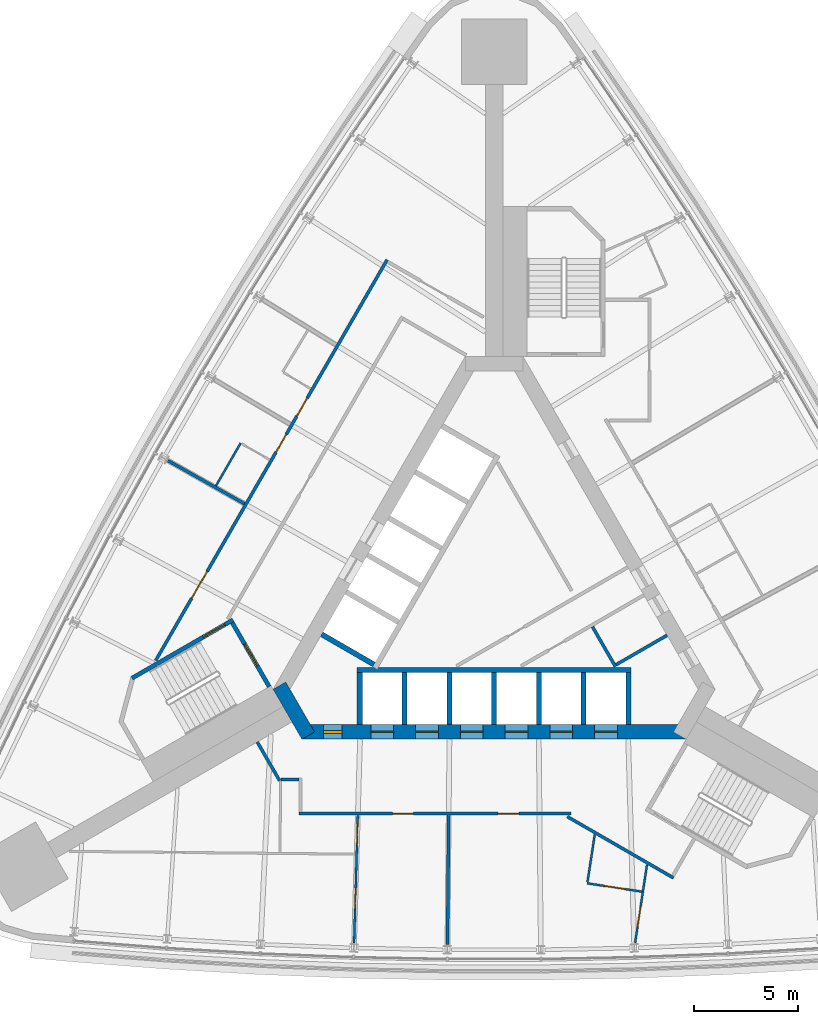
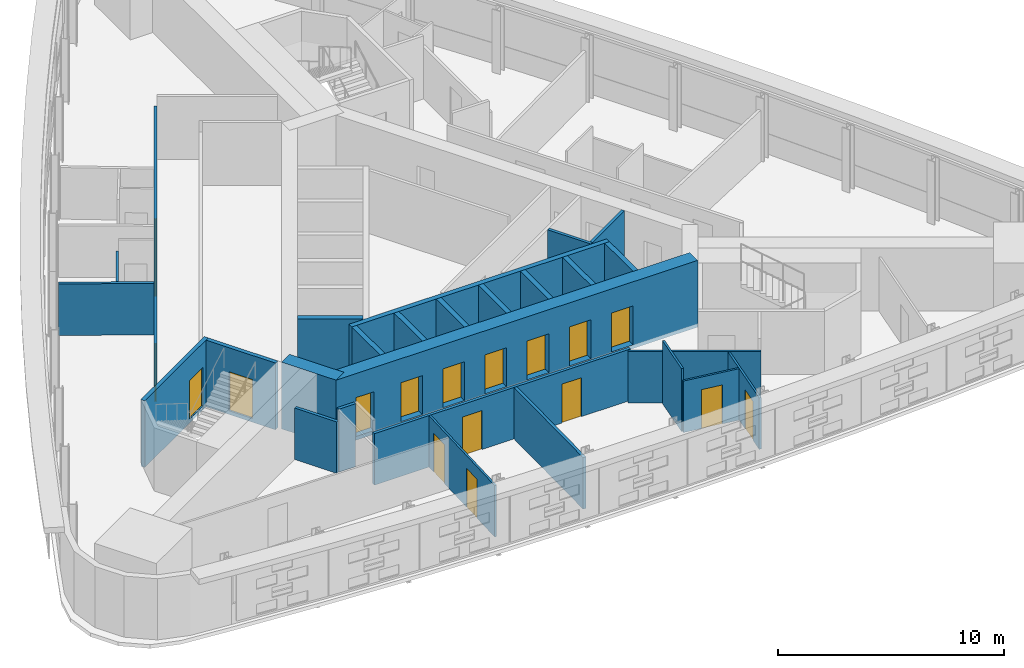
# One storey, part 8 of 13: 27 walls, 18 doors, 18 openings.
"""IFC4 building model written with IfcOpenShell, lengths in metres."""

from ifc_helpers import new_model, si_unit, direction, frame, frame_2d, origin, place, context, subcontext, project, spatial, rectangle, extrude, material, layer, layer_set, type_object, element, fill, save


model = new_model("IFC4")

# Units and contexts
model_context = context("Model", 3, precision=1e-05, world=origin(), true_north=direction((0.0, 1.0)))
body_context = subcontext(model_context, "Body", "Model", "MODEL_VIEW")
ifc_project = project(units=[si_unit("LENGTHUNIT", "METRE"), si_unit("AREAUNIT", "SQUARE_METRE"), si_unit("VOLUMEUNIT", "CUBIC_METRE"), si_unit("PLANEANGLEUNIT", "RADIAN"), si_unit("MASSUNIT", "GRAM", prefix="KILO")], contexts=[model_context])

# Site, building, storey
site_placement = place(None, origin())
site = spatial("IfcSite", under=ifc_project, at=site_placement, CompositionType="ELEMENT")
building_placement = place(site_placement, origin())
building = spatial("IfcBuilding", under=site, at=building_placement, Name="Noor Cloister Tower", CompositionType="ELEMENT")
storey_placement = place(building_placement, frame((0.0, 0.0, 79.800048828125)))
storey = spatial("IfcBuildingStorey", under=building, at=storey_placement, Name="L20", CompositionType="ELEMENT", Elevation=79.800048828125)

# Walls
ifc_material_1 = material(Name="Concrete C30/37", Category="concrete")
ifc_layer_1 = layer(ifc_material_1, 0.14990234375)
ifc_layer_set_1 = layer_set([ifc_layer_1], Name="Core partition 150 C30/37")
wall_type_1 = type_object("IfcWallType", Name="Core partition 150 C30/37", PredefinedType="PARTITIONING", material=ifc_layer_set_1)
wall_1_placement = place(storey_placement, frame((5.82861328125, -3.439208984375, 0.0), z_axis=(0.0, 0.0, 1.0), x_axis=(-0.49995790319, 0.866049707025, 0.0)))
element("IfcWall", 1, at=wall_1_placement, inside=storey, type_object=wall_type_1, Name="Core room partition L20 4", PredefinedType="PARTITIONING", context=body_context, shape_type="SweptSolid", body=[
    extrude(rectangle(XDim=2.214111328125, YDim=0.14990234375, at=frame_2d((1.10693359375, 0.0))), origin(), (0.0, 0.0, 1.0), 3.39990234375),
])
wall_2_placement = place(storey_placement, frame((5.861572265625, -3.34619140625, 0.0), z_axis=(0.0, 0.0, 1.0), x_axis=(0.866011447264, 0.500024172624, 0.0)))
element("IfcWall", 2, at=wall_2_placement, inside=storey, type_object=wall_type_1, Name="Core room partition L20 5", PredefinedType="PARTITIONING", context=body_context, shape_type="SweptSolid", body=[
    extrude(rectangle(XDim=2.824951171875, YDim=0.14990234375, at=frame_2d((1.41259765625, 0.0))), origin(), (0.0, 0.0, 1.0), 3.39990234375),
])

# Wall, openings, doors
ifc_material_2 = material(Name="Concrete C80/95", Category="concrete")
ifc_layer_2 = layer(ifc_material_2, 0.699951171875)
ifc_layer_set_2 = layer_set([ifc_layer_2], Name="Core wall 700 C80/95")
wall_type_2 = type_object("IfcWallType", Name="Core wall 700 C80/95", PredefinedType="SHEAR", material=ifc_layer_set_2)
wall_3_placement = place(storey_placement, frame((-9.228759765625, -6.578125, -0.199951171875), z_axis=(0.0, 0.0, 1.0), x_axis=(1.0, 0.0, 0.0)))
wall_3 = element("IfcWall", 3, at=wall_3_placement, inside=storey, type_object=wall_type_2, Name="Core wall L20 1", PredefinedType="SHEAR", context=body_context, shape_type="SweptSolid", body=[
    extrude(rectangle(XDim=18.45751953125, YDim=0.699951171875, at=frame_2d((9.228759765625, 0.0))), origin(), (0.0, 0.0, 1.0), 3.599853515625),
])
opening_1_placement = place(wall_3_placement, frame((3.3037109375, 0.0, 0.199951171875)))
opening_1 = element("IfcOpeningElement", 4, at=opening_1_placement, cuts=wall_3, Name="Opening L20-LR1", PredefinedType="OPENING", context=body_context, shape_type="SweptSolid", body=[
    extrude(rectangle(XDim=1.10009765625, YDim=2.10009765625, at=frame_2d((0.550048828125, 1.050048828125))), frame((0.0, 0.35986328125, 0.0), z_axis=(0.0, -1.0, 0.0), x_axis=(1.0, 0.0, 0.0)), (0.0, 0.0, 1.0), 0.719970703125),
])
opening_2_placement = place(wall_3_placement, frame((5.45361328125, 0.0, 0.199951171875)))
opening_2 = element("IfcOpeningElement", 5, at=opening_2_placement, cuts=wall_3, Name="Opening L20-LR2", PredefinedType="OPENING", context=body_context, shape_type="SweptSolid", body=[
    extrude(rectangle(XDim=1.10009765625, YDim=2.10009765625, at=frame_2d((0.550048828125, 1.050048828125))), frame((0.0, 0.35986328125, 0.0), z_axis=(0.0, -1.0, 0.0), x_axis=(1.0, 0.0, 0.0)), (0.0, 0.0, 1.0), 0.719970703125),
])
opening_3_placement = place(wall_3_placement, frame((7.603759765625, 0.0, 0.199951171875)))
opening_3 = element("IfcOpeningElement", 6, at=opening_3_placement, cuts=wall_3, Name="Opening L20-LR3", PredefinedType="OPENING", context=body_context, shape_type="SweptSolid", body=[
    extrude(rectangle(XDim=1.10009765625, YDim=2.10009765625, at=frame_2d((0.550048828125, 1.050048828125))), frame((0.0, 0.35986328125, 0.0), z_axis=(0.0, -1.0, 0.0), x_axis=(1.0, 0.0, 0.0)), (0.0, 0.0, 1.0), 0.719970703125),
])
opening_4_placement = place(wall_3_placement, frame((9.753662109375, 0.0, 0.199951171875)))
opening_4 = element("IfcOpeningElement", 7, at=opening_4_placement, cuts=wall_3, Name="Opening L20-LR4", PredefinedType="OPENING", context=body_context, shape_type="SweptSolid", body=[
    extrude(rectangle(XDim=1.10009765625, YDim=2.10009765625, at=frame_2d((0.550048828125, 1.050048828125))), frame((0.0, 0.35986328125, 0.0), z_axis=(0.0, -1.0, 0.0), x_axis=(1.0, 0.0, 0.0)), (0.0, 0.0, 1.0), 0.719970703125),
])
opening_5_placement = place(wall_3_placement, frame((11.90380859375, 0.0, 0.199951171875)))
opening_5 = element("IfcOpeningElement", 8, at=opening_5_placement, cuts=wall_3, Name="Opening L20-LR5", PredefinedType="OPENING", context=body_context, shape_type="SweptSolid", body=[
    extrude(rectangle(XDim=1.10009765625, YDim=2.10009765625, at=frame_2d((0.550048828125, 1.050048828125))), frame((0.0, 0.35986328125, 0.0), z_axis=(0.0, -1.0, 0.0), x_axis=(1.0, 0.0, 0.0)), (0.0, 0.0, 1.0), 0.719970703125),
])
opening_6_placement = place(wall_3_placement, frame((14.0537109375, 0.0, 0.199951171875)))
opening_6 = element("IfcOpeningElement", 9, at=opening_6_placement, cuts=wall_3, Name="Opening L20-LR6", PredefinedType="OPENING", context=body_context, shape_type="SweptSolid", body=[
    extrude(rectangle(XDim=1.10009765625, YDim=2.10009765625, at=frame_2d((0.550048828125, 1.050048828125))), frame((0.0, 0.35986328125, 0.0), z_axis=(0.0, -1.0, 0.0), x_axis=(1.0, 0.0, 0.0)), (0.0, 0.0, 1.0), 0.719970703125),
])
opening_7_placement = place(wall_3_placement, frame((1.0263671875, 0.0, 0.199951171875)))
opening_7 = element("IfcOpeningElement", 10, at=opening_7_placement, cuts=wall_3, Name="Opening L20-907", PredefinedType="OPENING", context=body_context, shape_type="SweptSolid", body=[
    extrude(rectangle(XDim=0.89990234375, YDim=2.10009765625, at=frame_2d((0.449951171875, 1.050048828125))), frame((0.0, 0.35986328125, 0.0), z_axis=(0.0, -1.0, 0.0), x_axis=(1.0, 0.0, 0.0)), (0.0, 0.0, 1.0), 0.719970703125),
])
ifc_material_3 = material(Name="Steel", Category="steel")
door_type_1 = type_object("IfcDoorType", Name="Core door 900 x 2100 FD60", OperationType="SINGLE_SWING_LEFT", PredefinedType="DOOR", material=ifc_material_3)
door_1_placement = place(opening_7_placement, origin())
door_1 = element("IfcDoor", 11, at=door_1_placement, inside=storey, type_object=door_type_1, Name="Core door 7 L20", OperationType="SINGLE_SWING_LEFT", OverallHeight=2.10009765625, OverallWidth=0.89990234375, PredefinedType="DOOR", context=body_context, shape_type="SweptSolid", body=[
    extrude(rectangle(XDim=0.89990234375, YDim=2.10009765625, at=frame_2d((0.449951171875, 1.050048828125))), frame((0.0, 0.074951171875, 0.0), z_axis=(0.0, -1.0, 0.0), x_axis=(1.0, 0.0, 0.0)), (0.0, 0.0, 1.0), 0.14990234375),
])
fill(opening_7, door_1)
ifc_material_4 = material(Name="Stainless steel", Category="steel")
door_type_2 = type_object("IfcDoorType", Name="Lift landing door 1100 x 2100", OperationType="DOUBLE_DOOR_SLIDING", PredefinedType="DOOR", material=ifc_material_4)
door_2_placement = place(opening_1_placement, origin())
door_2 = element("IfcDoor", 12, at=door_2_placement, inside=storey, type_object=door_type_2, Name="Landing door LR1 L20", OperationType="DOUBLE_DOOR_SLIDING", OverallHeight=2.10009765625, OverallWidth=1.10009765625, PredefinedType="DOOR", context=body_context, shape_type="SweptSolid", body=[
    extrude(rectangle(XDim=1.10009765625, YDim=2.10009765625, at=frame_2d((0.550048828125, 1.050048828125))), frame((0.0, 0.02490234375, 0.0), z_axis=(0.0, -1.0, 0.0), x_axis=(1.0, 0.0, 0.0)), (0.0, 0.0, 1.0), 0.050048828125),
])
fill(opening_1, door_2)
door_3_placement = place(opening_2_placement, origin())
door_3 = element("IfcDoor", 13, at=door_3_placement, inside=storey, type_object=door_type_2, Name="Landing door LR2 L20", OperationType="DOUBLE_DOOR_SLIDING", OverallHeight=2.10009765625, OverallWidth=1.10009765625, PredefinedType="DOOR", context=body_context, shape_type="SweptSolid", body=[
    extrude(rectangle(XDim=1.10009765625, YDim=2.10009765625, at=frame_2d((0.550048828125, 1.050048828125))), frame((0.0, 0.02490234375, 0.0), z_axis=(0.0, -1.0, 0.0), x_axis=(1.0, 0.0, 0.0)), (0.0, 0.0, 1.0), 0.050048828125),
])
fill(opening_2, door_3)
door_4_placement = place(opening_3_placement, origin())
door_4 = element("IfcDoor", 14, at=door_4_placement, inside=storey, type_object=door_type_2, Name="Landing door LR3 L20", OperationType="DOUBLE_DOOR_SLIDING", OverallHeight=2.10009765625, OverallWidth=1.10009765625, PredefinedType="DOOR", context=body_context, shape_type="SweptSolid", body=[
    extrude(rectangle(XDim=1.10009765625, YDim=2.10009765625, at=frame_2d((0.550048828125, 1.050048828125))), frame((0.0, 0.02490234375, 0.0), z_axis=(0.0, -1.0, 0.0), x_axis=(1.0, 0.0, 0.0)), (0.0, 0.0, 1.0), 0.050048828125),
])
fill(opening_3, door_4)
door_5_placement = place(opening_4_placement, origin())
door_5 = element("IfcDoor", 15, at=door_5_placement, inside=storey, type_object=door_type_2, Name="Landing door LR4 L20", OperationType="DOUBLE_DOOR_SLIDING", OverallHeight=2.10009765625, OverallWidth=1.10009765625, PredefinedType="DOOR", context=body_context, shape_type="SweptSolid", body=[
    extrude(rectangle(XDim=1.10009765625, YDim=2.10009765625, at=frame_2d((0.550048828125, 1.050048828125))), frame((0.0, 0.02490234375, 0.0), z_axis=(0.0, -1.0, 0.0), x_axis=(1.0, 0.0, 0.0)), (0.0, 0.0, 1.0), 0.050048828125),
])
fill(opening_4, door_5)
door_6_placement = place(opening_5_placement, origin())
door_6 = element("IfcDoor", 16, at=door_6_placement, inside=storey, type_object=door_type_2, Name="Landing door LR5 L20", OperationType="DOUBLE_DOOR_SLIDING", OverallHeight=2.10009765625, OverallWidth=1.10009765625, PredefinedType="DOOR", context=body_context, shape_type="SweptSolid", body=[
    extrude(rectangle(XDim=1.10009765625, YDim=2.10009765625, at=frame_2d((0.550048828125, 1.050048828125))), frame((0.0, 0.02490234375, 0.0), z_axis=(0.0, -1.0, 0.0), x_axis=(1.0, 0.0, 0.0)), (0.0, 0.0, 1.0), 0.050048828125),
])
fill(opening_5, door_6)
door_7_placement = place(opening_6_placement, origin())
door_7 = element("IfcDoor", 17, at=door_7_placement, inside=storey, type_object=door_type_2, Name="Landing door LR6 L20", OperationType="DOUBLE_DOOR_SLIDING", OverallHeight=2.10009765625, OverallWidth=1.10009765625, PredefinedType="DOOR", context=body_context, shape_type="SweptSolid", body=[
    extrude(rectangle(XDim=1.10009765625, YDim=2.10009765625, at=frame_2d((0.550048828125, 1.050048828125))), frame((0.0, 0.02490234375, 0.0), z_axis=(0.0, -1.0, 0.0), x_axis=(1.0, 0.0, 0.0)), (0.0, 0.0, 1.0), 0.050048828125),
])
fill(opening_6, door_7)

# Wall
wall_4_placement = place(storey_placement, frame((-10.311279296875, -4.353271484375, -0.199951171875), z_axis=(0.0, 0.0, 1.0), x_axis=(0.500042739161, -0.866000726912, 0.0)))
element("IfcWall", 18, at=wall_4_placement, inside=storey, type_object=wall_type_2, Name="Core wall L20 6", PredefinedType="SHEAR", context=body_context, shape_type="SweptSolid", body=[
    extrude(rectangle(XDim=2.771240234375, YDim=0.699951171875, at=frame_2d((1.3857421875, 0.0))), origin(), (0.0, 0.0, 1.0), 3.599853515625),
])

# Wall, openings, doors
ifc_material_5 = material(Name="Gypsum board partition on steel studs, 150 mm", Category="steel")
ifc_layer_3 = layer(ifc_material_5, 0.14990234375)
ifc_layer_set_3 = layer_set([ifc_layer_3], Name="Flat wall 150")
wall_type_3 = type_object("IfcWallType", Name="Flat wall 150", PredefinedType="PARTITIONING", material=ifc_layer_set_3)
wall_5_placement = place(storey_placement, frame((-16.255615234375, -3.149169921875, 0.0), z_axis=(0.0, 0.0, 1.0), x_axis=(0.499999683919, 0.866025586274, 0.0)))
wall_5 = element("IfcWall", 19, at=wall_5_placement, inside=storey, type_object=wall_type_3, Name="Flat wall 150 L20 001", PredefinedType="PARTITIONING", context=body_context, shape_type="SweptSolid", body=[
    extrude(rectangle(XDim=22.23388671875, YDim=0.14990234375, at=frame_2d((11.116943359375, 0.0))), origin(), (0.0, 0.0, 1.0), 2.77783203125),
])
opening_8_placement = place(wall_5_placement, frame((13.552978515625, 0.0, 0.0)))
opening_8 = element("IfcOpeningElement", 20, at=opening_8_placement, cuts=wall_5, Name="Opening L20-001", PredefinedType="OPENING", context=body_context, shape_type="SweptSolid", body=[
    extrude(rectangle(XDim=1.0, YDim=2.10009765625, at=frame_2d((0.5, 1.050048828125))), frame((0.0, 0.0849609375, 0.0), z_axis=(0.0, -1.0, 0.0), x_axis=(1.0, 0.0, 0.0)), (0.0, 0.0, 1.0), 0.169921875),
])
opening_9_placement = place(wall_5_placement, frame((11.5595703125, 0.0, 0.0)))
opening_9 = element("IfcOpeningElement", 21, at=opening_9_placement, cuts=wall_5, Name="Opening L20-002", PredefinedType="OPENING", context=body_context, shape_type="SweptSolid", body=[
    extrude(rectangle(XDim=1.0, YDim=2.10009765625, at=frame_2d((0.5, 1.050048828125))), frame((0.0, 0.0849609375, 0.0), z_axis=(0.0, -1.0, 0.0), x_axis=(1.0, 0.0, 0.0)), (0.0, 0.0, 1.0), 0.169921875),
])
opening_10_placement = place(wall_5_placement, frame((3.4462890625, 0.0, 0.0)))
opening_10 = element("IfcOpeningElement", 22, at=opening_10_placement, cuts=wall_5, Name="Opening L20-003", PredefinedType="OPENING", context=body_context, shape_type="SweptSolid", body=[
    extrude(rectangle(XDim=1.5, YDim=2.10009765625, at=frame_2d((0.75, 1.050048828125))), frame((0.0, 0.0849609375, 0.0), z_axis=(0.0, -1.0, 0.0), x_axis=(1.0, 0.0, 0.0)), (0.0, 0.0, 1.0), 0.169921875),
])
ifc_material_6 = material(Name="Timber door leaf with steel frame", Category="steel")
door_type_3 = type_object("IfcDoorType", Name="Assisted living door 1000", OperationType="NOTDEFINED", PredefinedType="DOOR", material=ifc_material_6)
door_8_placement = place(opening_8_placement, origin())
door_8 = element("IfcDoor", 23, at=door_8_placement, inside=storey, type_object=door_type_3, Name="Assisted living door 1000 L20-001", OperationType="SINGLE_SWING_RIGHT", OverallHeight=2.10009765625, OverallWidth=1.0, PredefinedType="DOOR", context=body_context, shape_type="SweptSolid", body=[
    extrude(rectangle(XDim=1.0, YDim=2.10009765625, at=frame_2d((0.5, 1.050048828125))), frame((0.0, 0.02490234375, 0.0), z_axis=(0.0, -1.0, 0.0), x_axis=(1.0, 0.0, 0.0)), (0.0, 0.0, 1.0), 0.050048828125),
])
fill(opening_8, door_8)
door_9_placement = place(opening_9_placement, origin())
door_9 = element("IfcDoor", 24, at=door_9_placement, inside=storey, type_object=door_type_3, Name="Assisted living door 1000 L20-002", OperationType="SINGLE_SWING_RIGHT", OverallHeight=2.10009765625, OverallWidth=1.0, PredefinedType="DOOR", context=body_context, shape_type="SweptSolid", body=[
    extrude(rectangle(XDim=1.0, YDim=2.10009765625, at=frame_2d((0.5, 1.050048828125))), frame((0.0, 0.02490234375, 0.0), z_axis=(0.0, -1.0, 0.0), x_axis=(1.0, 0.0, 0.0)), (0.0, 0.0, 1.0), 0.050048828125),
])
fill(opening_9, door_9)
ifc_material_7 = material(Name="Timber door leaf with steel frame", Category="steel")
door_type_4 = type_object("IfcDoorType", Name="Double door 1500 FD60", OperationType="NOTDEFINED", PredefinedType="DOOR", material=ifc_material_7)
door_10_placement = place(opening_10_placement, origin())
door_10 = element("IfcDoor", 25, at=door_10_placement, inside=storey, type_object=door_type_4, Name="Double door 1500 L20-003", OperationType="DOUBLE_DOOR_SINGLE_SWING", OverallHeight=2.10009765625, OverallWidth=1.5, PredefinedType="DOOR", context=body_context, shape_type="SweptSolid", body=[
    extrude(rectangle(XDim=1.5, YDim=2.10009765625, at=frame_2d((0.75, 1.050048828125))), frame((0.0, 0.02490234375, 0.0), z_axis=(0.0, -1.0, 0.0), x_axis=(1.0, 0.0, 0.0)), (0.0, 0.0, 1.0), 0.050048828125),
])
fill(opening_10, door_10)

wall_6_placement = place(storey_placement, frame((3.68896484375, -10.503173828125, 0.0), z_axis=(0.0, 0.0, 1.0), x_axis=(-1.0, 0.0, 0.0)))
wall_6 = element("IfcWall", 26, at=wall_6_placement, inside=storey, type_object=wall_type_3, Name="Flat wall 150 L20 004", PredefinedType="PARTITIONING", context=body_context, shape_type="SweptSolid", body=[
    extrude(rectangle(XDim=13.067626953125, YDim=0.14990234375, at=frame_2d((6.53369140625, 0.0))), origin(), (0.0, 0.0, 1.0), 2.77783203125),
])
opening_11_placement = place(wall_6_placement, frame((7.565673828125, 0.0, 0.0)))
opening_11 = element("IfcOpeningElement", 27, at=opening_11_placement, cuts=wall_6, Name="Opening L20-009", PredefinedType="OPENING", context=body_context, shape_type="SweptSolid", body=[
    extrude(rectangle(XDim=1.0, YDim=2.10009765625, at=frame_2d((0.5, 1.050048828125))), frame((0.0, 0.0849609375, 0.0), z_axis=(0.0, -1.0, 0.0), x_axis=(1.0, 0.0, 0.0)), (0.0, 0.0, 1.0), 0.169921875),
])
opening_12_placement = place(wall_6_placement, frame((2.500244140625, 0.0, 0.0)))
opening_12 = element("IfcOpeningElement", 28, at=opening_12_placement, cuts=wall_6, Name="Opening L20-010", PredefinedType="OPENING", context=body_context, shape_type="SweptSolid", body=[
    extrude(rectangle(XDim=1.0, YDim=2.10009765625, at=frame_2d((0.5, 1.050048828125))), frame((0.0, 0.0849609375, 0.0), z_axis=(0.0, -1.0, 0.0), x_axis=(1.0, 0.0, 0.0)), (0.0, 0.0, 1.0), 0.169921875),
])
ifc_material_8 = material(Name="Timber door leaf with steel frame", Category="steel")
door_type_5 = type_object("IfcDoorType", Name="Flat entrance door 1000 FD60S", OperationType="NOTDEFINED", PredefinedType="DOOR", material=ifc_material_8)
door_11_placement = place(opening_11_placement, origin())
door_11 = element("IfcDoor", 29, at=door_11_placement, inside=storey, type_object=door_type_5, Name="Flat entrance door 1000 L20-009", OperationType="SINGLE_SWING_RIGHT", OverallHeight=2.10009765625, OverallWidth=1.0, PredefinedType="DOOR", context=body_context, shape_type="SweptSolid", body=[
    extrude(rectangle(XDim=1.0, YDim=2.10009765625, at=frame_2d((0.5, 1.050048828125))), frame((0.0, 0.02490234375, 0.0), z_axis=(0.0, -1.0, 0.0), x_axis=(1.0, 0.0, 0.0)), (0.0, 0.0, 1.0), 0.050048828125),
])
fill(opening_11, door_11)
door_12_placement = place(opening_12_placement, origin())
door_12 = element("IfcDoor", 30, at=door_12_placement, inside=storey, type_object=door_type_5, Name="Flat entrance door 1000 L20-010", OperationType="SINGLE_SWING_LEFT", OverallHeight=2.10009765625, OverallWidth=1.0, PredefinedType="DOOR", context=body_context, shape_type="SweptSolid", body=[
    extrude(rectangle(XDim=1.0, YDim=2.10009765625, at=frame_2d((0.5, 1.050048828125))), frame((0.0, 0.02490234375, 0.0), z_axis=(0.0, -1.0, 0.0), x_axis=(1.0, 0.0, 0.0)), (0.0, 0.0, 1.0), 0.050048828125),
])
fill(opening_12, door_12)

# Walls
wall_7_placement = place(storey_placement, frame((3.51318359375, -10.643310546875, 0.0), z_axis=(0.0, 0.0, 1.0), x_axis=(0.866039313704, -0.499975906538, 0.0)))
element("IfcWall", 31, at=wall_7_placement, inside=storey, type_object=wall_type_3, Name="Flat wall 150 L20 006", PredefinedType="PARTITIONING", context=body_context, shape_type="SweptSolid", body=[
    extrude(rectangle(XDim=5.892333984375, YDim=0.14990234375, at=frame_2d((2.9462890625, 0.0))), origin(), (0.0, 0.0, 1.0), 2.77783203125),
])
wall_8_placement = place(storey_placement, frame((-11.376220703125, -7.058837890625, 0.0), z_axis=(0.0, 0.0, 1.0), x_axis=(0.500076779081, -0.865981070823, 0.0)))
element("IfcWall", 32, at=wall_8_placement, inside=storey, type_object=wall_type_3, Name="Flat wall 150 L20 012", PredefinedType="PARTITIONING", context=body_context, shape_type="SweptSolid", body=[
    extrude(rectangle(XDim=2.147216796875, YDim=0.14990234375, at=frame_2d((1.07373046875, 0.0))), origin(), (0.0, 0.0, 1.0), 2.77783203125),
])
wall_9_placement = place(storey_placement, frame((-10.23779296875, -8.853271484375, 0.0), z_axis=(0.0, 0.0, 1.0), x_axis=(1.0, 0.0, 0.0)))
element("IfcWall", 33, at=wall_9_placement, inside=storey, type_object=wall_type_3, Name="Flat wall 150 L20 015", PredefinedType="PARTITIONING", context=body_context, shape_type="SweptSolid", body=[
    extrude(rectangle(XDim=0.859130859375, YDim=0.14990234375, at=frame_2d((0.4296875, 0.0))), origin(), (0.0, 0.0, 1.0), 3.39990234375),
])
wall_10_placement = place(storey_placement, frame((-2.2421875, -16.7919921875, 0.0), z_axis=(0.0, 0.0, 1.0), x_axis=(0.009744517475, 0.999952521062, 0.0)))
element("IfcWall", 34, at=wall_10_placement, inside=storey, type_object=wall_type_3, Name="Flat wall 150 L20 018", PredefinedType="PARTITIONING", context=body_context, shape_type="SweptSolid", body=[
    extrude(rectangle(XDim=6.21337890625, YDim=0.14990234375, at=frame_2d((3.106689453125, 0.0))), origin(), (0.0, 0.0, 1.0), 2.77783203125),
])
wall_11_placement = place(storey_placement, frame((-15.663330078125, 6.4541015625, 0.0), z_axis=(0.0, 0.0, 1.0), x_axis=(0.870876717705, -0.491501518369, 0.0)))
element("IfcWall", 35, at=wall_11_placement, inside=storey, type_object=wall_type_3, Name="Flat wall 150 L20 019", PredefinedType="PARTITIONING", context=body_context, shape_type="SweptSolid", body=[
    extrude(rectangle(XDim=4.213134765625, YDim=0.14990234375, at=frame_2d((2.1064453125, 0.0))), origin(), (0.0, 0.0, 1.0), 2.77783203125),
])

# Wall, openings, doors
ifc_material_9 = material(Name="Gypsum board partition on steel studs, 100 mm", Category="steel")
ifc_layer_4 = layer(ifc_material_9, 0.10009765625)
ifc_layer_set_4 = layer_set([ifc_layer_4], Name="Partition 100")
wall_type_4 = type_object("IfcWallType", Name="Partition 100", PredefinedType="PARTITIONING", material=ifc_layer_set_4)
wall_12_placement = place(storey_placement, frame((-6.7255859375, -16.70458984375, 0.0), z_axis=(0.0, 0.0, 1.0), x_axis=(0.029204693092, 0.999573451979, 0.0)))
wall_12 = element("IfcWall", 36, at=wall_12_placement, inside=storey, type_object=wall_type_4, Name="Partition 100 L20 024", PredefinedType="PARTITIONING", context=body_context, shape_type="SweptSolid", body=[
    extrude(rectangle(XDim=6.127685546875, YDim=0.10009765625, at=frame_2d((3.06396484375, 0.0))), origin(), (0.0, 0.0, 1.0), 2.77783203125),
])
opening_13_placement = place(wall_12_placement, frame((4.686767578125, 0.0, 0.0)))
opening_13 = element("IfcOpeningElement", 37, at=opening_13_placement, cuts=wall_12, Name="Opening L20-015", PredefinedType="OPENING", context=body_context, shape_type="SweptSolid", body=[
    extrude(rectangle(XDim=1.0, YDim=2.10009765625, at=frame_2d((0.5, 1.050048828125))), frame((0.0, 0.06005859375, 0.0), z_axis=(0.0, -1.0, 0.0), x_axis=(1.0, 0.0, 0.0)), (0.0, 0.0, 1.0), 0.1201171875),
])
opening_14_placement = place(wall_12_placement, frame((1.634765625, 0.0, 0.0)))
opening_14 = element("IfcOpeningElement", 38, at=opening_14_placement, cuts=wall_12, Name="Opening L20-016", PredefinedType="OPENING", context=body_context, shape_type="SweptSolid", body=[
    extrude(rectangle(XDim=1.0, YDim=2.10009765625, at=frame_2d((0.5, 1.050048828125))), frame((0.0, 0.06005859375, 0.0), z_axis=(0.0, -1.0, 0.0), x_axis=(1.0, 0.0, 0.0)), (0.0, 0.0, 1.0), 0.1201171875),
])
ifc_material_10 = material(Name="Timber door leaf with steel frame", Category="steel")
door_type_6 = type_object("IfcDoorType", Name="Interior door 1000", OperationType="NOTDEFINED", PredefinedType="DOOR", material=ifc_material_10)
door_13_placement = place(opening_13_placement, origin())
door_13 = element("IfcDoor", 39, at=door_13_placement, inside=storey, type_object=door_type_6, Name="Interior door 1000 L20-015", OperationType="SINGLE_SWING_RIGHT", OverallHeight=2.10009765625, OverallWidth=1.0, PredefinedType="DOOR", context=body_context, shape_type="SweptSolid", body=[
    extrude(rectangle(XDim=1.0, YDim=2.10009765625, at=frame_2d((0.5, 1.050048828125))), frame((0.0, 0.02490234375, 0.0), z_axis=(0.0, -1.0, 0.0), x_axis=(1.0, 0.0, 0.0)), (0.0, 0.0, 1.0), 0.050048828125),
])
fill(opening_13, door_13)
door_14_placement = place(opening_14_placement, origin())
door_14 = element("IfcDoor", 40, at=door_14_placement, inside=storey, type_object=door_type_6, Name="Interior door 1000 L20-016", OperationType="SINGLE_SWING_LEFT", OverallHeight=2.10009765625, OverallWidth=1.0, PredefinedType="DOOR", context=body_context, shape_type="SweptSolid", body=[
    extrude(rectangle(XDim=1.0, YDim=2.10009765625, at=frame_2d((0.5, 1.050048828125))), frame((0.0, 0.02490234375, 0.0), z_axis=(0.0, -1.0, 0.0), x_axis=(1.0, 0.0, 0.0)), (0.0, 0.0, 1.0), 0.050048828125),
])
fill(opening_14, door_14)

# Wall, opening, door
wall_13_placement = place(storey_placement, frame((7.34228515625, -12.96142578125, 0.0), z_axis=(0.0, 0.0, 1.0), x_axis=(-0.150825771547, -0.988560360644, 0.0)))
wall_13 = element("IfcWall", 41, at=wall_13_placement, inside=storey, type_object=wall_type_4, Name="Partition 100 L20 026", PredefinedType="PARTITIONING", context=body_context, shape_type="SweptSolid", body=[
    extrude(rectangle(XDim=3.784423828125, YDim=0.10009765625, at=frame_2d((1.89208984375, 0.0))), origin(), (0.0, 0.0, 1.0), 2.77783203125),
])
opening_15_placement = place(wall_13_placement, frame((2.040771484375, 0.0, 0.0)))
opening_15 = element("IfcOpeningElement", 42, at=opening_15_placement, cuts=wall_13, Name="Opening L20-017", PredefinedType="OPENING", context=body_context, shape_type="SweptSolid", body=[
    extrude(rectangle(XDim=1.0, YDim=2.10009765625, at=frame_2d((0.5, 1.050048828125))), frame((0.0, 0.06005859375, 0.0), z_axis=(0.0, -1.0, 0.0), x_axis=(1.0, 0.0, 0.0)), (0.0, 0.0, 1.0), 0.1201171875),
])
door_15_placement = place(opening_15_placement, origin())
door_15 = element("IfcDoor", 43, at=door_15_placement, inside=storey, type_object=door_type_6, Name="Interior door 1000 L20-017", OperationType="SINGLE_SWING_RIGHT", OverallHeight=2.10009765625, OverallWidth=1.0, PredefinedType="DOOR", context=body_context, shape_type="SweptSolid", body=[
    extrude(rectangle(XDim=1.0, YDim=2.10009765625, at=frame_2d((0.5, 1.050048828125))), frame((0.0, 0.02490234375, 0.0), z_axis=(0.0, -1.0, 0.0), x_axis=(1.0, 0.0, 0.0)), (0.0, 0.0, 1.0), 0.050048828125),
])
fill(opening_15, door_15)

wall_14_placement = place(storey_placement, frame((4.4755859375, -13.8486328125, 0.0), z_axis=(0.0, 0.0, 1.0), x_axis=(0.988563667888, -0.150804093219, 0.0)))
wall_14 = element("IfcWall", 44, at=wall_14_placement, inside=storey, type_object=wall_type_4, Name="Partition 100 L20 029", PredefinedType="PARTITIONING", context=body_context, shape_type="SweptSolid", body=[
    extrude(rectangle(XDim=2.650146484375, YDim=0.10009765625, at=frame_2d((1.3251953125, 0.0))), origin(), (0.0, 0.0, 1.0), 2.77783203125),
])
opening_16_placement = place(wall_14_placement, frame((0.85009765625, 0.0, 0.0)))
opening_16 = element("IfcOpeningElement", 45, at=opening_16_placement, cuts=wall_14, Name="Opening L20-019", PredefinedType="OPENING", context=body_context, shape_type="SweptSolid", body=[
    extrude(rectangle(XDim=1.0, YDim=2.10009765625, at=frame_2d((0.5, 1.050048828125))), frame((0.0, 0.06005859375, 0.0), z_axis=(0.0, -1.0, 0.0), x_axis=(1.0, 0.0, 0.0)), (0.0, 0.0, 1.0), 0.1201171875),
])
door_16_placement = place(opening_16_placement, origin())
door_16 = element("IfcDoor", 46, at=door_16_placement, inside=storey, type_object=door_type_6, Name="Interior door 1000 L20-019", OperationType="SINGLE_SWING_RIGHT", OverallHeight=2.10009765625, OverallWidth=1.0, PredefinedType="DOOR", context=body_context, shape_type="SweptSolid", body=[
    extrude(rectangle(XDim=1.0, YDim=2.10009765625, at=frame_2d((0.5, 1.050048828125))), frame((0.0, 0.02490234375, 0.0), z_axis=(0.0, -1.0, 0.0), x_axis=(1.0, 0.0, 0.0)), (0.0, 0.0, 1.0), 0.050048828125),
])
fill(opening_16, door_16)

# Walls
wall_15_placement = place(storey_placement, frame((4.832275390625, -11.51220703125, 0.0), z_axis=(0.0, 0.0, 1.0), x_axis=(-0.150899365419, -0.988549129541, 0.0)))
element("IfcWall", 47, at=wall_15_placement, inside=storey, type_object=wall_type_4, Name="Partition 100 L20 031", PredefinedType="PARTITIONING", context=body_context, shape_type="SweptSolid", body=[
    extrude(rectangle(XDim=2.313720703125, YDim=0.10009765625, at=frame_2d((1.15673828125, 0.0))), origin(), (0.0, 0.0, 1.0), 3.39990234375),
])
wall_16_placement = place(storey_placement, frame((-13.361083984375, 5.241455078125, 0.0), z_axis=(0.0, 0.0, 1.0), x_axis=(0.499965759324, 0.866045171745, 0.0)))
element("IfcWall", 48, at=wall_16_placement, inside=storey, type_object=wall_type_4, Name="Partition 100 L20 033", PredefinedType="PARTITIONING", context=body_context, shape_type="SweptSolid", body=[
    extrude(rectangle(XDim=2.374267578125, YDim=0.10009765625, at=frame_2d((1.18701171875, 0.0))), origin(), (0.0, 0.0, 1.0), 2.77783203125),
])
ifc_material_11 = material(Name="Concrete C80/95", Category="concrete")
ifc_layer_5 = layer(ifc_material_11, 0.25)
ifc_layer_set_5 = layer_set([ifc_layer_5], Name="Shaft wall 250 C80/95")
wall_type_5 = type_object("IfcWallType", Name="Shaft wall 250 C80/95", PredefinedType="PARTITIONING", material=ifc_layer_set_5)
for number, where, z_axis, x_axis, name in (
    (49, (-6.449951171875, -6.228271484375, -0.199951171875), (0.0, 0.0, 1.0), (0.0, 1.0, 0.0), "Lift shaft wall L20 S 1"),
    (50, (-4.300048828125, -6.228271484375, -0.199951171875), (0.0, 0.0, 1.0), (0.0, 1.0, 0.0), "Lift shaft wall L20 S 2"),
    (51, (-2.14990234375, -6.228271484375, -0.199951171875), (0.0, 0.0, 1.0), (0.0, 1.0, 0.0), "Lift shaft wall L20 S 3"),
    (52, (0.0, -6.228271484375, -0.199951171875), (0.0, 0.0, 1.0), (0.0, 1.0, 0.0), "Lift shaft wall L20 S 4"),
    (53, (2.14990234375, -6.228271484375, -0.199951171875), (0.0, 0.0, 1.0), (0.0, 1.0, 0.0), "Lift shaft wall L20 S 5"),
    (54, (4.300048828125, -6.228271484375, -0.199951171875), (0.0, 0.0, 1.0), (0.0, 1.0, 0.0), "Lift shaft wall L20 S 6"),
    (55, (6.449951171875, -6.228271484375, -0.199951171875), (0.0, 0.0, 1.0), (0.0, 1.0, 0.0), "Lift shaft wall L20 S 7"),
):
    element("IfcWall", number, at=place(storey_placement, frame(where, z_axis=z_axis, x_axis=x_axis)), inside=storey, type_object=wall_type_5, Name=name, PredefinedType="PARTITIONING", context=body_context, shape_type="SweptSolid", body=[
        extrude(rectangle(XDim=2.5, YDim=0.25, at=frame_2d((1.25, 0.0))), origin(), (0.0, 0.0, 1.0), 3.599853515625),
    ])
wall_17_placement = place(storey_placement, frame((-6.574951171875, -3.603271484375, 0.0), z_axis=(0.0, 0.0, 1.0), x_axis=(1.0, 0.0, 0.0)))
element("IfcWall", 56, at=wall_17_placement, inside=storey, type_object=wall_type_5, Name="Lift shaft back wall L20 S", PredefinedType="PARTITIONING", context=body_context, shape_type="SweptSolid", body=[
    extrude(rectangle(XDim=13.14990234375, YDim=0.25, at=frame_2d((6.574951171875, 0.0))), origin(), (0.0, 0.0, 1.0), 3.39990234375),
])
wall_18_placement = place(storey_placement, frame((-8.28125, -1.88720703125, -0.199951171875), z_axis=(0.0, 0.0, 1.0), x_axis=(0.866032775405, -0.499987231761, 0.0)))
element("IfcWall", 57, at=wall_18_placement, inside=storey, type_object=wall_type_5, Name="Lift shaft wall L20 NW 6", PredefinedType="PARTITIONING", context=body_context, shape_type="SweptSolid", body=[
    extrude(rectangle(XDim=2.89990234375, YDim=0.25, at=frame_2d((1.449951171875, 0.0))), origin(), (0.0, 0.0, 1.0), 3.599853515625),
])

# Wall, opening, door
ifc_material_12 = material(Name="Concrete C80/95", Category="concrete")
ifc_layer_6 = layer(ifc_material_12, 0.199951171875)
ifc_layer_set_6 = layer_set([ifc_layer_6], Name="Stair enclosure wall 200 C80/95")
wall_type_6 = type_object("IfcWallType", Name="Stair enclosure wall 200 C80/95", PredefinedType="SHEAR", material=ifc_layer_set_6)
wall_19_placement = place(storey_placement, frame((-12.575927734375, -1.33056640625, -0.199951171875), z_axis=(0.0, 0.0, 1.0), x_axis=(0.499970499736, -0.8660424351, 0.0)))
wall_19 = element("IfcWall", 58, at=wall_19_placement, inside=storey, type_object=wall_type_6, Name="Stair enclosure wall ST2 L20 near end", PredefinedType="SHEAR", context=body_context, shape_type="SweptSolid", body=[
    extrude(rectangle(XDim=3.550048828125, YDim=0.199951171875, at=frame_2d((1.77490234375, 0.0))), origin(), (0.0, 0.0, 1.0), 3.599853515625),
])
opening_17_placement = place(wall_19_placement, frame((1.175048828125, 0.0, 0.199951171875)))
opening_17 = element("IfcOpeningElement", 59, at=opening_17_placement, cuts=wall_19, Name="Opening L20-ST2L", PredefinedType="OPENING", context=body_context, shape_type="SweptSolid", body=[
    extrude(rectangle(XDim=1.199951171875, YDim=2.10009765625, at=frame_2d((0.60009765625, 1.050048828125))), frame((0.0, 0.10986328125, 0.0), z_axis=(0.0, -1.0, 0.0), x_axis=(1.0, 0.0, 0.0)), (0.0, 0.0, 1.0), 0.219970703125),
])
ifc_material_13 = material(Name="Steel", Category="steel")
door_type_7 = type_object("IfcDoorType", Name="Stair door 1200 x 2100 FD120", OperationType="SINGLE_SWING_LEFT", PredefinedType="DOOR", material=ifc_material_13)
door_17_placement = place(opening_17_placement, origin())
door_17 = element("IfcDoor", 60, at=door_17_placement, inside=storey, type_object=door_type_7, Name="Stair door ST2 L20", OperationType="SINGLE_SWING_RIGHT", OverallHeight=2.10009765625, OverallWidth=1.199951171875, PredefinedType="DOOR", context=body_context, shape_type="SweptSolid", body=[
    extrude(rectangle(XDim=1.199951171875, YDim=2.10009765625, at=frame_2d((0.60009765625, 1.050048828125))), frame((0.0, 0.02490234375, 0.0), z_axis=(0.0, -1.0, 0.0), x_axis=(1.0, 0.0, 0.0)), (0.0, 0.0, 1.0), 0.050048828125),
])
fill(opening_17, door_17)

wall_20_placement = place(storey_placement, frame((-12.539306640625, -1.194091796875, -0.199951171875), z_axis=(0.0, 0.0, 1.0), x_axis=(-0.866045472092, -0.499965239061, 0.0)))
wall_20 = element("IfcWall", 61, at=wall_20_placement, inside=storey, type_object=wall_type_6, Name="Stair enclosure wall ST2 L20 outer side", PredefinedType="SHEAR", context=body_context, shape_type="SweptSolid", body=[
    extrude(rectangle(XDim=5.60009765625, YDim=0.199951171875, at=frame_2d((2.800048828125, 0.0))), origin(), (0.0, 0.0, 1.0), 3.599853515625),
])
opening_18_placement = place(wall_20_placement, frame((0.449951171875, 0.0, 0.199951171875)))
opening_18 = element("IfcOpeningElement", 62, at=opening_18_placement, cuts=wall_20, Name="Opening L20-ST2C", PredefinedType="OPENING", context=body_context, shape_type="SweptSolid", body=[
    extrude(rectangle(XDim=1.199951171875, YDim=2.10009765625, at=frame_2d((0.60009765625, 1.050048828125))), frame((0.0, 0.10986328125, 0.0), z_axis=(0.0, -1.0, 0.0), x_axis=(1.0, 0.0, 0.0)), (0.0, 0.0, 1.0), 0.219970703125),
])
door_18_placement = place(opening_18_placement, origin())
door_18 = element("IfcDoor", 63, at=door_18_placement, inside=storey, type_object=door_type_7, Name="Stair door ST2 L20", OperationType="SINGLE_SWING_LEFT", OverallHeight=2.10009765625, OverallWidth=1.199951171875, PredefinedType="DOOR", context=body_context, shape_type="SweptSolid", body=[
    extrude(rectangle(XDim=1.199951171875, YDim=2.10009765625, at=frame_2d((0.60009765625, 1.050048828125))), frame((0.0, 0.02490234375, 0.0), z_axis=(0.0, -1.0, 0.0), x_axis=(1.0, 0.0, 0.0)), (0.0, 0.0, 1.0), 0.050048828125),
])
fill(opening_18, door_18)

save(model, "model.ifc")
